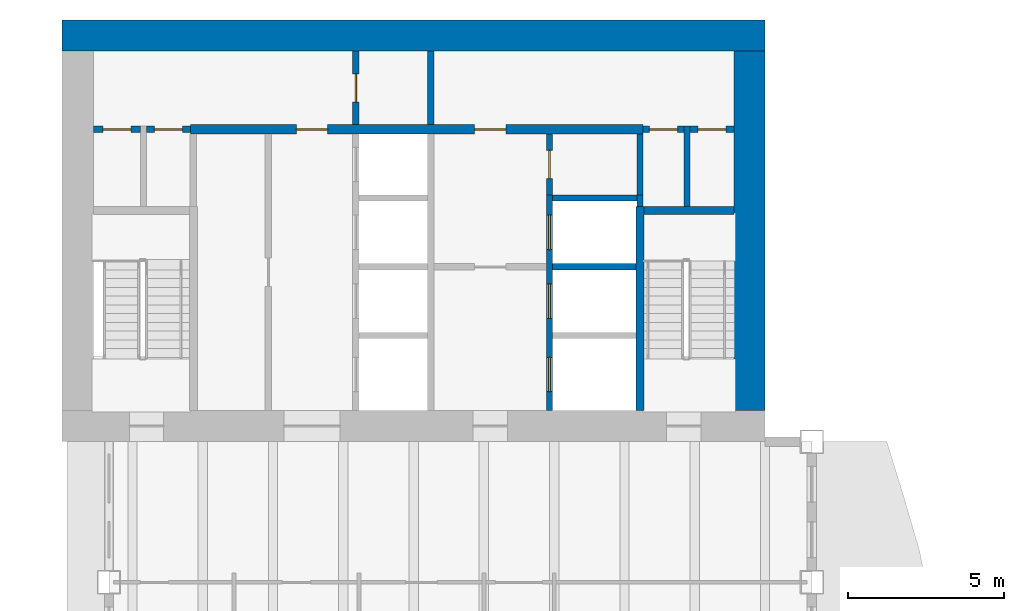
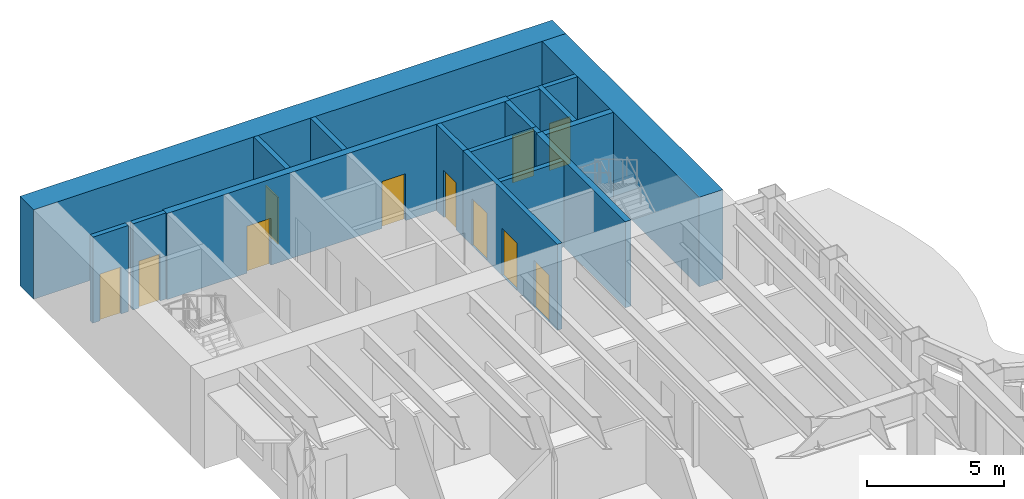
# One storey, part 9 of 16: 18 walls, 11 doors, 11 openings.
"""IFC4 building model written with IfcOpenShell, lengths in metres."""

from ifc_helpers import new_model, si_unit, direction, frame, frame_2d, origin, place, context, subcontext, project, spatial, rectangle, extrude, material, layer, layer_set, type_object, element, fill, save


model = new_model("IFC4")

# Units and contexts
model_context = context("Model", 3, precision=1e-05, world=origin(), true_north=direction((0.0, 1.0)))
body_context = subcontext(model_context, "Body", "Model", "MODEL_VIEW")
ifc_project = project(units=[si_unit("LENGTHUNIT", "METRE"), si_unit("AREAUNIT", "SQUARE_METRE"), si_unit("VOLUMEUNIT", "CUBIC_METRE"), si_unit("PLANEANGLEUNIT", "RADIAN"), si_unit("MASSUNIT", "GRAM", prefix="KILO")], contexts=[model_context])

# Site, building, storey
site_placement = place(None, origin())
site = spatial("IfcSite", under=ifc_project, at=site_placement, CompositionType="ELEMENT")
building_placement = place(site_placement, origin())
building = spatial("IfcBuilding", under=site, at=building_placement, Name="Sennacour Bend Tower", CompositionType="ELEMENT")
storey_placement = place(building_placement, frame((0.0, 0.0, 227.0)))
storey = spatial("IfcBuildingStorey", under=building, at=storey_placement, Name="L52", CompositionType="ELEMENT", Elevation=227.0)

# Walls
ifc_material_1 = material(Name="Concrete C60/75", Category="concrete")
ifc_layer_1 = layer(ifc_material_1, 1.0, Name="Concrete C60/75", Category="concrete")
ifc_layer_set_1 = layer_set([ifc_layer_1], Name="Concrete C60/75")
wall_type_1 = type_object("IfcWallType", Name="Core wall 1000 C60/75", PredefinedType="SHEAR", material=ifc_layer_set_1)
wall_1_placement = place(storey_placement, frame((0.0, 49.0, -0.14990234375), z_axis=(0.0, 0.0, 1.0), x_axis=(1.0, 0.0, 0.0)))
element("IfcWall", 1, at=wall_1_placement, inside=storey, type_object=wall_type_1, Name="Core B wall L52 N", PredefinedType="SHEAR", context=body_context, shape_type="SweptSolid", body=[
    extrude(rectangle(XDim=22.5, YDim=1.0, at=frame_2d((11.25, 0.0))), origin(), (0.0, 0.0, 1.0), 4.0),
])
wall_2_placement = place(storey_placement, frame((22.0, 37.0, -0.14990234375), z_axis=(0.0, 0.0, 1.0), x_axis=(0.0, 1.0, 0.0)))
element("IfcWall", 2, at=wall_2_placement, inside=storey, type_object=wall_type_1, Name="Core B wall L52 E", PredefinedType="SHEAR", context=body_context, shape_type="SweptSolid", body=[
    extrude(rectangle(XDim=11.5, YDim=1.0, at=frame_2d((5.75, 0.0))), origin(), (0.0, 0.0, 1.0), 4.0),
])

# Wall, opening, door
ifc_material_2 = material(Name="Fire-rated plasterboard partition on steel studs", Category="steel")
ifc_layer_2 = layer(ifc_material_2, 0.199951171875, Name="Fire-rated plasterboard partition on steel studs", Category="steel")
ifc_layer_set_2 = layer_set([ifc_layer_2], Name="Fire-rated plasterboard partition on steel studs")
wall_type_2 = type_object("IfcWallType", Name="Rated partition 200", PredefinedType="PARTITIONING", material=ifc_layer_set_2)
wall_3_placement = place(storey_placement, frame((9.39990234375, 46.14990234375, 0.0), z_axis=(0.0, 0.0, 1.0), x_axis=(0.0, 1.0, 0.0)))
wall_3 = element("IfcWall", 3, at=wall_3_placement, inside=storey, type_object=wall_type_2, Name="P-L52-W011", PredefinedType="PARTITIONING", context=body_context, shape_type="SweptSolid", body=[
    extrude(rectangle(XDim=2.35009765625, YDim=0.199951171875, at=frame_2d((1.175048828125, 0.0))), origin(), (0.0, 0.0, 1.0), 3.85009765625),
])
opening_1_placement = place(wall_3_placement, frame((0.72509765625, 0.0, 0.0)))
opening_1 = element("IfcOpeningElement", 4, at=opening_1_placement, cuts=wall_3, Name="Opening SV", PredefinedType="OPENING", context=body_context, shape_type="SweptSolid", body=[
    extrude(rectangle(XDim=0.89990234375, YDim=2.10009765625, at=frame_2d((0.449951171875, 1.050048828125))), frame((0.0, 0.10986328125, 0.0), z_axis=(0.0, -1.0, 0.0), x_axis=(1.0, 0.0, 0.0)), (0.0, 0.0, 1.0), 0.219970703125),
])
ifc_material_3 = material(Name="Painted steel", Category="steel")
door_type_1 = type_object("IfcDoorType", Name="DR-SERVICE-900", OperationType="NOTDEFINED", PredefinedType="DOOR", material=ifc_material_3)
door_1_placement = place(opening_1_placement, origin())
door_1 = element("IfcDoor", 5, at=door_1_placement, inside=storey, type_object=door_type_1, Name="Door", OperationType="SINGLE_SWING_RIGHT", OverallHeight=2.10009765625, OverallWidth=0.89990234375, PredefinedType="DOOR", context=body_context, shape_type="SweptSolid", body=[
    extrude(rectangle(XDim=0.89990234375, YDim=2.10009765625, at=frame_2d((0.449951171875, 1.050048828125))), frame((0.0, 0.02490234375, 0.0), z_axis=(0.0, -1.0, 0.0), x_axis=(1.0, 0.0, 0.0)), (0.0, 0.0, 1.0), 0.050048828125),
])
fill(opening_1, door_1)

# Wall
wall_4_placement = place(storey_placement, frame((11.800048828125, 46.14990234375, 0.0), z_axis=(0.0, 0.0, 1.0), x_axis=(0.0, 1.0, 0.0)))
element("IfcWall", 6, at=wall_4_placement, inside=storey, type_object=wall_type_2, Name="P-L52-W014", PredefinedType="PARTITIONING", context=body_context, shape_type="SweptSolid", body=[
    extrude(rectangle(XDim=2.35009765625, YDim=0.199951171875, at=frame_2d((1.175048828125, 0.0))), origin(), (0.0, 0.0, 1.0), 3.85009765625),
])

# Wall, opening, door
wall_5_placement = place(storey_placement, frame((15.60009765625, 43.89990234375, 0.0), z_axis=(0.0, 0.0, 1.0), x_axis=(0.0, 1.0, 0.0)))
wall_5 = element("IfcWall", 7, at=wall_5_placement, inside=storey, type_object=wall_type_2, Name="P-L52-W018", PredefinedType="PARTITIONING", context=body_context, shape_type="SweptSolid", body=[
    extrude(rectangle(XDim=1.9501953125, YDim=0.199951171875, at=frame_2d((0.97509765625, 0.0))), origin(), (0.0, 0.0, 1.0), 3.85009765625),
])
opening_2_placement = place(wall_5_placement, frame((0.525146484375, 0.0, 0.0)))
opening_2 = element("IfcOpeningElement", 8, at=opening_2_placement, cuts=wall_5, Name="Opening SV", PredefinedType="OPENING", context=body_context, shape_type="SweptSolid", body=[
    extrude(rectangle(XDim=0.89990234375, YDim=2.10009765625, at=frame_2d((0.449951171875, 1.050048828125))), frame((0.0, 0.10986328125, 0.0), z_axis=(0.0, -1.0, 0.0), x_axis=(1.0, 0.0, 0.0)), (0.0, 0.0, 1.0), 0.219970703125),
])
door_2_placement = place(opening_2_placement, origin())
door_2 = element("IfcDoor", 9, at=door_2_placement, inside=storey, type_object=door_type_1, Name="Door", OperationType="SINGLE_SWING_RIGHT", OverallHeight=2.10009765625, OverallWidth=0.89990234375, PredefinedType="DOOR", context=body_context, shape_type="SweptSolid", body=[
    extrude(rectangle(XDim=0.89990234375, YDim=2.10009765625, at=frame_2d((0.449951171875, 1.050048828125))), frame((0.0, 0.02490234375, 0.0), z_axis=(0.0, -1.0, 0.0), x_axis=(1.0, 0.0, 0.0)), (0.0, 0.0, 1.0), 0.050048828125),
])
fill(opening_2, door_2)

# Walls
wall_6_placement = place(storey_placement, frame((18.5, 43.89990234375, 0.0), z_axis=(0.0, 0.0, 1.0), x_axis=(0.0, 1.0, 0.0)))
element("IfcWall", 10, at=wall_6_placement, inside=storey, type_object=wall_type_2, Name="P-L52-W023", PredefinedType="PARTITIONING", context=body_context, shape_type="SweptSolid", body=[
    extrude(rectangle(XDim=1.9501953125, YDim=0.199951171875, at=frame_2d((0.97509765625, 0.0))), origin(), (0.0, 0.0, 1.0), 3.85009765625),
])
wall_7_placement = place(storey_placement, frame((20.0, 43.52490234375, 0.0), z_axis=(0.0, 0.0, 1.0), x_axis=(0.0, 1.0, 0.0)))
element("IfcWall", 11, at=wall_7_placement, inside=storey, type_object=wall_type_2, Name="P-L52-W024", PredefinedType="PARTITIONING", context=body_context, shape_type="SweptSolid", body=[
    extrude(rectangle(XDim=2.5751953125, YDim=0.199951171875, at=frame_2d((1.28759765625, 0.0))), origin(), (0.0, 0.0, 1.0), 3.85009765625),
])

# Wall, opening, door
wall_8_placement = place(storey_placement, frame((1.0, 46.0, 0.0), z_axis=(0.0, 0.0, 1.0), x_axis=(1.0, 0.0, 0.0)))
wall_8 = element("IfcWall", 12, at=wall_8_placement, inside=storey, type_object=wall_type_2, Name="P-L52-W093a", PredefinedType="PARTITIONING", context=body_context, shape_type="SweptSolid", body=[
    extrude(rectangle(XDim=1.5, YDim=0.199951171875, at=frame_2d((0.75, 0.0))), origin(), (0.0, 0.0, 1.0), 3.85009765625),
])
opening_3_placement = place(wall_8_placement, frame((0.300048828125, 0.0, 0.0)))
opening_3 = element("IfcOpeningElement", 13, at=opening_3_placement, cuts=wall_8, Name="Opening SV", PredefinedType="OPENING", context=body_context, shape_type="SweptSolid", body=[
    extrude(rectangle(XDim=0.89990234375, YDim=2.10009765625, at=frame_2d((0.449951171875, 1.050048828125))), frame((0.0, 0.10986328125, 0.0), z_axis=(0.0, -1.0, 0.0), x_axis=(1.0, 0.0, 0.0)), (0.0, 0.0, 1.0), 0.219970703125),
])
door_3_placement = place(opening_3_placement, origin())
door_3 = element("IfcDoor", 14, at=door_3_placement, inside=storey, type_object=door_type_1, Name="Door", OperationType="SINGLE_SWING_LEFT", OverallHeight=2.10009765625, OverallWidth=0.89990234375, PredefinedType="DOOR", context=body_context, shape_type="SweptSolid", body=[
    extrude(rectangle(XDim=0.89990234375, YDim=2.10009765625, at=frame_2d((0.449951171875, 1.050048828125))), frame((0.0, 0.02490234375, 0.0), z_axis=(0.0, -1.0, 0.0), x_axis=(1.0, 0.0, 0.0)), (0.0, 0.0, 1.0), 0.050048828125),
])
fill(opening_3, door_3)

wall_9_placement = place(storey_placement, frame((2.699951171875, 46.0, 0.0), z_axis=(0.0, 0.0, 1.0), x_axis=(1.0, 0.0, 0.0)))
wall_9 = element("IfcWall", 15, at=wall_9_placement, inside=storey, type_object=wall_type_2, Name="P-L52-W093b", PredefinedType="PARTITIONING", context=body_context, shape_type="SweptSolid", body=[
    extrude(rectangle(XDim=1.400146484375, YDim=0.199951171875, at=frame_2d((0.7001953125, 0.0))), origin(), (0.0, 0.0, 1.0), 3.85009765625),
])
opening_4_placement = place(wall_9_placement, frame((0.25, 0.0, 0.0)))
opening_4 = element("IfcOpeningElement", 16, at=opening_4_placement, cuts=wall_9, Name="Opening WD", PredefinedType="OPENING", context=body_context, shape_type="SweptSolid", body=[
    extrude(rectangle(XDim=0.89990234375, YDim=2.10009765625, at=frame_2d((0.449951171875, 1.050048828125))), frame((0.0, 0.10986328125, 0.0), z_axis=(0.0, -1.0, 0.0), x_axis=(1.0, 0.0, 0.0)), (0.0, 0.0, 1.0), 0.219970703125),
])
ifc_material_4 = material(Name="Timber", Category="wood")
door_type_2 = type_object("IfcDoorType", Name="DR-WC-900", OperationType="NOTDEFINED", PredefinedType="DOOR", material=ifc_material_4)
door_4_placement = place(opening_4_placement, origin())
door_4 = element("IfcDoor", 17, at=door_4_placement, inside=storey, type_object=door_type_2, Name="Door", OperationType="SINGLE_SWING_LEFT", OverallHeight=2.10009765625, OverallWidth=0.89990234375, PredefinedType="DOOR", context=body_context, shape_type="SweptSolid", body=[
    extrude(rectangle(XDim=0.89990234375, YDim=2.10009765625, at=frame_2d((0.449951171875, 1.050048828125))), frame((0.0, 0.02490234375, 0.0), z_axis=(0.0, -1.0, 0.0), x_axis=(1.0, 0.0, 0.0)), (0.0, 0.0, 1.0), 0.050048828125),
])
fill(opening_4, door_4)

wall_10_placement = place(storey_placement, frame((18.60009765625, 46.0, 0.0), z_axis=(0.0, 0.0, 1.0), x_axis=(1.0, 0.0, 0.0)))
wall_10 = element("IfcWall", 18, at=wall_10_placement, inside=storey, type_object=wall_type_2, Name="P-L52-W095a", PredefinedType="PARTITIONING", context=body_context, shape_type="SweptSolid", body=[
    extrude(rectangle(XDim=1.2998046875, YDim=0.199951171875, at=frame_2d((0.64990234375, 0.0))), origin(), (0.0, 0.0, 1.0), 3.85009765625),
])
opening_5_placement = place(wall_10_placement, frame((0.199951171875, 0.0, 0.0)))
opening_5 = element("IfcOpeningElement", 19, at=opening_5_placement, cuts=wall_10, Name="Opening SV", PredefinedType="OPENING", context=body_context, shape_type="SweptSolid", body=[
    extrude(rectangle(XDim=0.89990234375, YDim=2.10009765625, at=frame_2d((0.449951171875, 1.050048828125))), frame((0.0, 0.10986328125, 0.0), z_axis=(0.0, -1.0, 0.0), x_axis=(1.0, 0.0, 0.0)), (0.0, 0.0, 1.0), 0.219970703125),
])
door_5_placement = place(opening_5_placement, origin())
door_5 = element("IfcDoor", 20, at=door_5_placement, inside=storey, type_object=door_type_1, Name="Door", OperationType="SINGLE_SWING_LEFT", OverallHeight=2.10009765625, OverallWidth=0.89990234375, PredefinedType="DOOR", context=body_context, shape_type="SweptSolid", body=[
    extrude(rectangle(XDim=0.89990234375, YDim=2.10009765625, at=frame_2d((0.449951171875, 1.050048828125))), frame((0.0, 0.02490234375, 0.0), z_axis=(0.0, -1.0, 0.0), x_axis=(1.0, 0.0, 0.0)), (0.0, 0.0, 1.0), 0.050048828125),
])
fill(opening_5, door_5)

wall_11_placement = place(storey_placement, frame((20.10009765625, 46.0, 0.0), z_axis=(0.0, 0.0, 1.0), x_axis=(1.0, 0.0, 0.0)))
wall_11 = element("IfcWall", 21, at=wall_11_placement, inside=storey, type_object=wall_type_2, Name="P-L52-W095b", PredefinedType="PARTITIONING", context=body_context, shape_type="SweptSolid", body=[
    extrude(rectangle(XDim=1.39990234375, YDim=0.199951171875, at=frame_2d((0.699951171875, 0.0))), origin(), (0.0, 0.0, 1.0), 3.85009765625),
])
opening_6_placement = place(wall_11_placement, frame((0.25, 0.0, 0.0)))
opening_6 = element("IfcOpeningElement", 22, at=opening_6_placement, cuts=wall_11, Name="Opening SV", PredefinedType="OPENING", context=body_context, shape_type="SweptSolid", body=[
    extrude(rectangle(XDim=0.89990234375, YDim=2.10009765625, at=frame_2d((0.449951171875, 1.050048828125))), frame((0.0, 0.10986328125, 0.0), z_axis=(0.0, -1.0, 0.0), x_axis=(1.0, 0.0, 0.0)), (0.0, 0.0, 1.0), 0.219970703125),
])
door_6_placement = place(opening_6_placement, origin())
door_6 = element("IfcDoor", 23, at=door_6_placement, inside=storey, type_object=door_type_1, Name="Door", OperationType="SINGLE_SWING_LEFT", OverallHeight=2.10009765625, OverallWidth=0.89990234375, PredefinedType="DOOR", context=body_context, shape_type="SweptSolid", body=[
    extrude(rectangle(XDim=0.89990234375, YDim=2.10009765625, at=frame_2d((0.449951171875, 1.050048828125))), frame((0.0, 0.02490234375, 0.0), z_axis=(0.0, -1.0, 0.0), x_axis=(1.0, 0.0, 0.0)), (0.0, 0.0, 1.0), 0.050048828125),
])
fill(opening_6, door_6)

# Wall, openings, doors
ifc_material_5 = material(Name="Concrete C50/60", Category="concrete")
ifc_layer_3 = layer(ifc_material_5, 0.199951171875, Name="Concrete C50/60", Category="concrete")
ifc_layer_set_3 = layer_set([ifc_layer_3], Name="Concrete C50/60")
wall_type_3 = type_object("IfcWallType", Name="Shaft wall 200", PredefinedType="SOLIDWALL", material=ifc_layer_set_3)
wall_12_placement = place(storey_placement, frame((15.60009765625, 37.0, 0.0), z_axis=(0.0, 0.0, 1.0), x_axis=(0.0, 1.0, 0.0)))
wall_12 = element("IfcWall", 24, at=wall_12_placement, inside=storey, type_object=wall_type_3, Name="P-L52-W017", PredefinedType="SOLIDWALL", context=body_context, shape_type="SweptSolid", body=[
    extrude(rectangle(XDim=6.89990234375, YDim=0.199951171875, at=frame_2d((3.449951171875, 0.0))), origin(), (0.0, 0.0, 1.0), 3.85009765625),
])
opening_7_placement = place(wall_12_placement, frame((0.60009765625, 0.0, 0.011962890625)))
opening_7 = element("IfcOpeningElement", 25, at=opening_7_placement, cuts=wall_12, Name="Opening FLD", PredefinedType="OPENING", context=body_context, shape_type="SweptSolid", body=[
    extrude(rectangle(XDim=1.10009765625, YDim=2.10009765625, at=frame_2d((0.550048828125, 1.050048828125))), frame((0.0, 0.10986328125, 0.0), z_axis=(0.0, -1.0, 0.0), x_axis=(1.0, 0.0, 0.0)), (0.0, 0.0, 1.0), 0.219970703125),
])
opening_8_placement = place(wall_12_placement, frame((2.949951171875, 0.0, 0.011962890625)))
opening_8 = element("IfcOpeningElement", 26, at=opening_8_placement, cuts=wall_12, Name="Opening FLD", PredefinedType="OPENING", context=body_context, shape_type="SweptSolid", body=[
    extrude(rectangle(XDim=1.10009765625, YDim=2.10009765625, at=frame_2d((0.550048828125, 1.050048828125))), frame((0.0, 0.10986328125, 0.0), z_axis=(0.0, -1.0, 0.0), x_axis=(1.0, 0.0, 0.0)), (0.0, 0.0, 1.0), 0.219970703125),
])
opening_9_placement = place(wall_12_placement, frame((5.14990234375, 0.0, 0.011962890625)))
opening_9 = element("IfcOpeningElement", 27, at=opening_9_placement, cuts=wall_12, Name="Opening LD", PredefinedType="OPENING", context=body_context, shape_type="SweptSolid", body=[
    extrude(rectangle(XDim=1.10009765625, YDim=2.10009765625, at=frame_2d((0.550048828125, 1.050048828125))), frame((0.0, 0.10986328125, 0.0), z_axis=(0.0, -1.0, 0.0), x_axis=(1.0, 0.0, 0.0)), (0.0, 0.0, 1.0), 0.219970703125),
])
ifc_material_6 = material(Name="Stainless steel", Category="steel")
door_type_3 = type_object("IfcDoorType", Name="DR-FF-LANDING-1100", OperationType="NOTDEFINED", PredefinedType="DOOR", material=ifc_material_6)
door_7_placement = place(opening_7_placement, origin())
door_7 = element("IfcDoor", 28, at=door_7_placement, inside=storey, type_object=door_type_3, Name="Fire service lift landing door FB1", OperationType="SLIDING_TO_RIGHT", OverallHeight=2.10009765625, OverallWidth=1.10009765625, PredefinedType="DOOR", context=body_context, shape_type="SweptSolid", body=[
    extrude(rectangle(XDim=1.10009765625, YDim=2.10009765625, at=frame_2d((0.550048828125, 1.050048828125))), frame((0.0, 0.02490234375, 0.0), z_axis=(0.0, -1.0, 0.0), x_axis=(1.0, 0.0, 0.0)), (0.0, 0.0, 1.0), 0.050048828125),
])
fill(opening_7, door_7)
door_8_placement = place(opening_8_placement, origin())
door_8 = element("IfcDoor", 29, at=door_8_placement, inside=storey, type_object=door_type_3, Name="Fire service lift landing door FB2", OperationType="SLIDING_TO_LEFT", OverallHeight=2.10009765625, OverallWidth=1.10009765625, PredefinedType="DOOR", context=body_context, shape_type="SweptSolid", body=[
    extrude(rectangle(XDim=1.10009765625, YDim=2.10009765625, at=frame_2d((0.550048828125, 1.050048828125))), frame((0.0, 0.02490234375, 0.0), z_axis=(0.0, -1.0, 0.0), x_axis=(1.0, 0.0, 0.0)), (0.0, 0.0, 1.0), 0.050048828125),
])
fill(opening_8, door_8)
door_type_4 = type_object("IfcDoorType", Name="DR-LANDING-1100", OperationType="NOTDEFINED", PredefinedType="DOOR", material=ifc_material_6)
door_9_placement = place(opening_9_placement, origin())
door_9 = element("IfcDoor", 30, at=door_9_placement, inside=storey, type_object=door_type_4, Name="Lift landing door MB5", OperationType="SLIDING_TO_RIGHT", OverallHeight=2.10009765625, OverallWidth=1.10009765625, PredefinedType="DOOR", context=body_context, shape_type="SweptSolid", body=[
    extrude(rectangle(XDim=1.10009765625, YDim=2.10009765625, at=frame_2d((0.550048828125, 1.050048828125))), frame((0.0, 0.02490234375, 0.0), z_axis=(0.0, -1.0, 0.0), x_axis=(1.0, 0.0, 0.0)), (0.0, 0.0, 1.0), 0.050048828125),
])
fill(opening_9, door_9)

# Walls
wall_13_placement = place(storey_placement, frame((18.5, 43.52490234375, 0.0), z_axis=(0.0, 0.0, 1.0), x_axis=(0.0, 1.0, 0.0)))
element("IfcWall", 31, at=wall_13_placement, inside=storey, type_object=wall_type_3, Name="P-L52-W022", PredefinedType="SOLIDWALL", context=body_context, shape_type="SweptSolid", body=[
    extrude(rectangle(XDim=0.375, YDim=0.199951171875, at=frame_2d((0.1875, 0.0))), origin(), (0.0, 0.0, 1.0), 3.85009765625),
])
wall_14_placement = place(storey_placement, frame((15.699951171875, 41.60009765625, 0.0), z_axis=(0.0, 0.0, 1.0), x_axis=(1.0, 0.0, 0.0)))
element("IfcWall", 32, at=wall_14_placement, inside=storey, type_object=wall_type_3, Name="P-L52-W088", PredefinedType="SOLIDWALL", context=body_context, shape_type="SweptSolid", body=[
    extrude(rectangle(XDim=2.675048828125, YDim=0.199951171875, at=frame_2d((1.33740234375, 0.0))), origin(), (0.0, 0.0, 1.0), 3.85009765625),
])
wall_15_placement = place(storey_placement, frame((15.699951171875, 43.800048828125, 0.0), z_axis=(0.0, 0.0, 1.0), x_axis=(1.0, 0.0, 0.0)))
element("IfcWall", 33, at=wall_15_placement, inside=storey, type_object=wall_type_3, Name="P-L52-W092", PredefinedType="SOLIDWALL", context=body_context, shape_type="SweptSolid", body=[
    extrude(rectangle(XDim=2.699951171875, YDim=0.199951171875, at=frame_2d((1.35009765625, 0.0))), origin(), (0.0, 0.0, 1.0), 3.85009765625),
])

# Wall, openings, doors
ifc_layer_4 = layer(ifc_material_1, 0.300048828125, Name="Concrete C60/75", Category="concrete")
ifc_layer_set_4 = layer_set([ifc_layer_4], Name="Concrete C60/75")
wall_type_4 = type_object("IfcWallType", Name="Spine wall 300", PredefinedType="SHEAR", material=ifc_layer_set_4)
wall_16_placement = place(storey_placement, frame((4.10009765625, 46.0, 0.0), z_axis=(0.0, 0.0, 1.0), x_axis=(1.0, 0.0, 0.0)))
wall_16 = element("IfcWall", 34, at=wall_16_placement, inside=storey, type_object=wall_type_4, Name="P-L52-W094", PredefinedType="SHEAR", context=body_context, shape_type="SweptSolid", body=[
    extrude(rectangle(XDim=14.5, YDim=0.300048828125, at=frame_2d((7.25, 0.0))), origin(), (0.0, 0.0, 1.0), 3.85009765625),
])
opening_10_placement = place(wall_16_placement, frame((3.39990234375, 0.0, 0.0)))
opening_10 = element("IfcOpeningElement", 35, at=opening_10_placement, cuts=wall_16, Name="Opening CD2", PredefinedType="OPENING", context=body_context, shape_type="SweptSolid", body=[
    extrude(rectangle(XDim=1.0, YDim=2.10009765625, at=frame_2d((0.5, 1.050048828125))), frame((0.0, 0.16015625, 0.0), z_axis=(0.0, -1.0, 0.0), x_axis=(1.0, 0.0, 0.0)), (0.0, 0.0, 1.0), 0.320068359375),
])
opening_11_placement = place(wall_16_placement, frame((9.099853515625, 0.0, 0.0)))
opening_11 = element("IfcOpeningElement", 36, at=opening_11_placement, cuts=wall_16, Name="Opening CD2", PredefinedType="OPENING", context=body_context, shape_type="SweptSolid", body=[
    extrude(rectangle(XDim=1.0, YDim=2.10009765625, at=frame_2d((0.5, 1.050048828125))), frame((0.0, 0.16015625, 0.0), z_axis=(0.0, -1.0, 0.0), x_axis=(1.0, 0.0, 0.0)), (0.0, 0.0, 1.0), 0.320068359375),
])
door_type_5 = type_object("IfcDoorType", Name="DR-LOBBY-1000", OperationType="NOTDEFINED", PredefinedType="DOOR", material=ifc_material_3)
door_10_placement = place(opening_10_placement, origin())
door_10 = element("IfcDoor", 37, at=door_10_placement, inside=storey, type_object=door_type_5, Name="Door", OperationType="SINGLE_SWING_LEFT", OverallHeight=2.10009765625, OverallWidth=1.0, PredefinedType="DOOR", context=body_context, shape_type="SweptSolid", body=[
    extrude(rectangle(XDim=1.0, YDim=2.10009765625, at=frame_2d((0.5, 1.050048828125))), frame((0.0, 0.02490234375, 0.0), z_axis=(0.0, -1.0, 0.0), x_axis=(1.0, 0.0, 0.0)), (0.0, 0.0, 1.0), 0.050048828125),
])
fill(opening_10, door_10)
door_11_placement = place(opening_11_placement, origin())
door_11 = element("IfcDoor", 38, at=door_11_placement, inside=storey, type_object=door_type_5, Name="Door", OperationType="SINGLE_SWING_RIGHT", OverallHeight=2.10009765625, OverallWidth=1.0, PredefinedType="DOOR", context=body_context, shape_type="SweptSolid", body=[
    extrude(rectangle(XDim=1.0, YDim=2.10009765625, at=frame_2d((0.5, 1.050048828125))), frame((0.0, 0.02490234375, 0.0), z_axis=(0.0, -1.0, 0.0), x_axis=(1.0, 0.0, 0.0)), (0.0, 0.0, 1.0), 0.050048828125),
])
fill(opening_11, door_11)

# Walls
ifc_layer_5 = layer(ifc_material_1, 0.25, Name="Concrete C60/75", Category="concrete")
ifc_layer_set_5 = layer_set([ifc_layer_5], Name="Concrete C60/75")
wall_type_5 = type_object("IfcWallType", Name="Stair wall 250", PredefinedType="SHEAR", material=ifc_layer_set_5)
wall_17_placement = place(storey_placement, frame((18.5, 37.0, 0.0), z_axis=(0.0, 0.0, 1.0), x_axis=(0.0, 1.0, 0.0)))
element("IfcWall", 39, at=wall_17_placement, inside=storey, type_object=wall_type_5, Name="P-L52-W021", PredefinedType="SHEAR", context=body_context, shape_type="SweptSolid", body=[
    extrude(rectangle(XDim=6.52490234375, YDim=0.25, at=frame_2d((3.262451171875, 0.0))), origin(), (0.0, 0.0, 1.0), 3.85009765625),
])
wall_18_placement = place(storey_placement, frame((18.625, 43.39990234375, 0.0), z_axis=(0.0, 0.0, 1.0), x_axis=(1.0, 0.0, 0.0)))
element("IfcWall", 40, at=wall_18_placement, inside=storey, type_object=wall_type_5, Name="P-L52-W090", PredefinedType="SHEAR", context=body_context, shape_type="SweptSolid", body=[
    extrude(rectangle(XDim=2.875, YDim=0.25, at=frame_2d((1.4375, 0.0))), origin(), (0.0, 0.0, 1.0), 3.85009765625),
])

save(model, "model.ifc")
